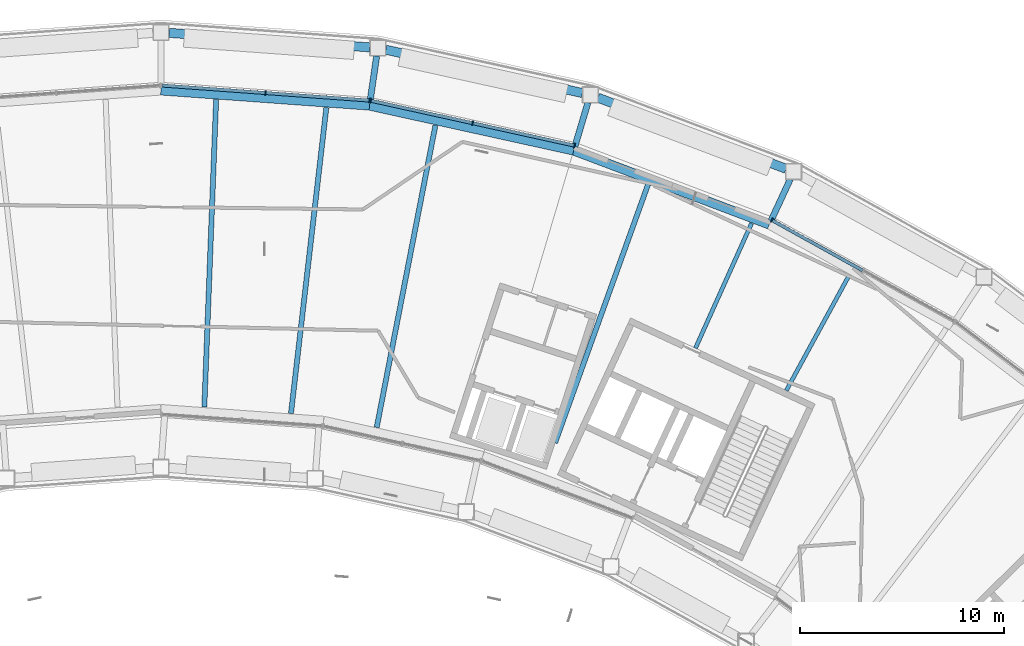
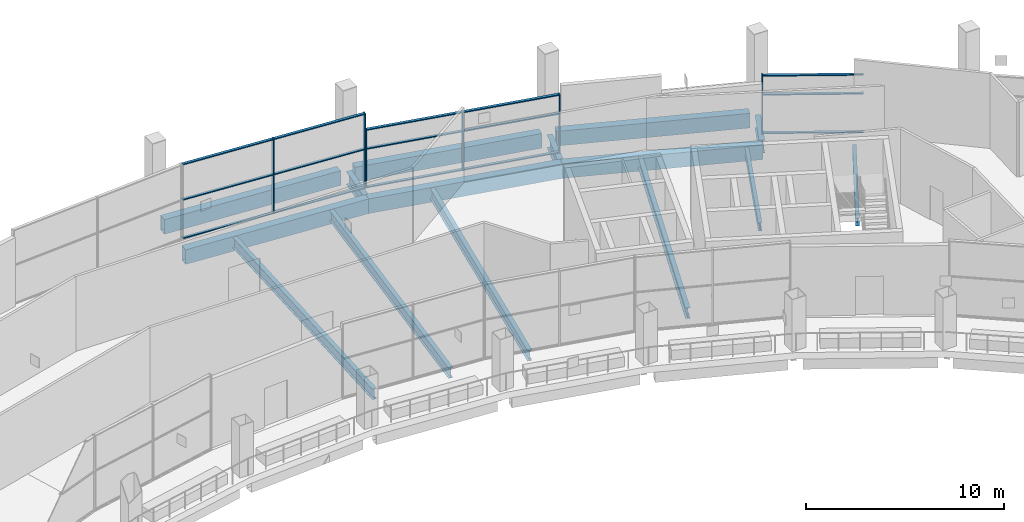
# One storey, part 11 of 29: 21 members, 15 beams, 3 elements without a shape of their own.
"""IFC4 building model written with IfcOpenShell, lengths in metres."""

from ifc_helpers import new_model, si_unit, direction, frame, origin, origin_2d, place, context, subcontext, project, spatial, rectangle, hollow_rectangle, i_section, extrude, material, layer, layer_set, material_profile, profile_set, type_object, element, aggregate, save


model = new_model("IFC4")

# Units and contexts
model_context = context("Model", 3, precision=1e-05, world=origin(), true_north=direction((0.0, 1.0)))
body_context = subcontext(model_context, "Body", "Model", "MODEL_VIEW")
ifc_project = project(units=[si_unit("LENGTHUNIT", "METRE"), si_unit("AREAUNIT", "SQUARE_METRE"), si_unit("VOLUMEUNIT", "CUBIC_METRE"), si_unit("PLANEANGLEUNIT", "RADIAN"), si_unit("MASSUNIT", "GRAM", prefix="KILO")], contexts=[model_context])

# Site, building, storey
site_placement = place(None, origin())
site = spatial("IfcSite", under=ifc_project, at=site_placement, CompositionType="ELEMENT")
building_placement = place(site_placement, origin())
building = spatial("IfcBuilding", under=site, at=building_placement, Name="Tuul Gate Civic Tower", CompositionType="ELEMENT")
storey_placement = place(building_placement, frame((0.0, 0.0, 238.89990234375)))
storey = spatial("IfcBuildingStorey", under=building, at=storey_placement, Name="Sky garden level 2", CompositionType="ELEMENT", Elevation=238.89990234375)

# Curtain wall, members
ifc_material_1 = material(Name="Aluminium", Category="aluminium")
ifc_layer_1 = layer(ifc_material_1, 0.199951171875)
ifc_layer_set_1 = layer_set([ifc_layer_1], Name="Aluminium")
curtain_wall_type_1 = type_object("IfcCurtainWallType", Name="Curtain wall CW3", PredefinedType="NOTDEFINED", material=ifc_layer_set_1)
curtain_wall_1_placement = place(storey_placement, origin())
curtain_wall_1 = element("IfcCurtainWall", 1, at=curtain_wall_1_placement, inside=storey, type_object=curtain_wall_type_1, Name="Curtain wall CW3", PredefinedType="NOTDEFINED")
ifc_material_2 = material(Name="Aluminium", Category="aluminium")
ifc_material_profile_1 = material_profile(ifc_material_2, rectangle(XDim=0.219970703125, YDim=0.06005859375, at=origin_2d()), Name="CW3 mullion")
ifc_profile_set_1 = profile_set([ifc_material_profile_1], Name="Aluminium")
member_type_1 = type_object("IfcMemberType", Name="CW3 mullion", PredefinedType="MULLION", material=ifc_profile_set_1)
member_1_placement = place(storey_placement, frame((16.18310546875, 15.216064453125, 0.0), z_axis=(0.0, 0.0, 1.0), x_axis=(-0.072330249118, -0.997380737263, 0.0)))
member_1 = element("IfcMember", 2, at=member_1_placement, type_object=member_type_1, Name="Mullion", PredefinedType="MULLION", context=body_context, shape_type="SweptSolid", body=[
    extrude(rectangle(XDim=0.219970703125, YDim=0.06005859375, at=origin_2d()), origin(), (0.0, 0.0, 1.0), 4.60009765625),
])
member_2_placement = place(storey_placement, frame((11.076416015625, 15.58642578125, 0.0), z_axis=(0.0, 0.0, 1.0), x_axis=(-0.072330249118, -0.997380737263, 0.0)))
member_2 = element("IfcMember", 3, at=member_2_placement, type_object=member_type_1, Name="Mullion", PredefinedType="MULLION", context=body_context, shape_type="SweptSolid", body=[
    extrude(rectangle(XDim=0.219970703125, YDim=0.06005859375, at=origin_2d()), origin(), (0.0, 0.0, 1.0), 4.60009765625),
])
ifc_material_3 = material(Name="Aluminium", Category="aluminium")
ifc_material_profile_2 = material_profile(ifc_material_3, rectangle(XDim=0.159912109375, YDim=0.06005859375, at=origin_2d()), Name="CW3 transom")
ifc_profile_set_2 = profile_set([ifc_material_profile_2], Name="Aluminium")
member_type_2 = type_object("IfcMemberType", Name="CW3 transom", PredefinedType="USERDEFINED", material=ifc_profile_set_2)
member_3_placement = place(storey_placement, frame((16.153076171875, 15.21826171875, 0.030029296875), z_axis=(-0.997380963596, 0.072327128075, 0.0), x_axis=(-0.072327128075, -0.997380963596, 0.0)))
member_3 = element("IfcMember", 4, at=member_3_placement, type_object=member_type_2, Name="Transom", ObjectType="TRANSOM", PredefinedType="USERDEFINED", context=body_context, shape_type="SweptSolid", body=[
    extrude(rectangle(XDim=0.159912109375, YDim=0.06005859375, at=origin_2d()), origin(), (0.0, 0.0, 1.0), 5.059814453125),
])
member_4_placement = place(storey_placement, frame((16.153076171875, 15.21826171875, 2.400146484375), z_axis=(-0.997380963596, 0.072327128075, 0.0), x_axis=(-0.072327128075, -0.997380963596, 0.0)))
member_4 = element("IfcMember", 5, at=member_4_placement, type_object=member_type_2, Name="Transom", ObjectType="TRANSOM", PredefinedType="USERDEFINED", context=body_context, shape_type="SweptSolid", body=[
    extrude(rectangle(XDim=0.159912109375, YDim=0.06005859375, at=origin_2d()), origin(), (0.0, 0.0, 1.0), 5.059814453125),
])
member_5_placement = place(storey_placement, frame((16.153076171875, 15.21826171875, 4.570068359375), z_axis=(-0.997380963596, 0.072327128075, 0.0), x_axis=(-0.072327128075, -0.997380963596, 0.0)))
member_5 = element("IfcMember", 6, at=member_5_placement, type_object=member_type_2, Name="Transom", ObjectType="TRANSOM", PredefinedType="USERDEFINED", context=body_context, shape_type="SweptSolid", body=[
    extrude(rectangle(XDim=0.159912109375, YDim=0.06005859375, at=origin_2d()), origin(), (0.0, 0.0, 1.0), 5.059814453125),
])
member_6_placement = place(storey_placement, frame((11.046630859375, 15.588623046875, 0.030029296875), z_axis=(-0.997381215986, 0.072323647579, 0.0), x_axis=(-0.072323647579, -0.997381215986, 0.0)))
member_6 = element("IfcMember", 7, at=member_6_placement, type_object=member_type_2, Name="Transom", ObjectType="TRANSOM", PredefinedType="USERDEFINED", context=body_context, shape_type="SweptSolid", body=[
    extrude(rectangle(XDim=0.159912109375, YDim=0.06005859375, at=origin_2d()), origin(), (0.0, 0.0, 1.0), 5.06005859375),
])
member_7_placement = place(storey_placement, frame((11.046630859375, 15.588623046875, 2.400146484375), z_axis=(-0.997381215986, 0.072323647579, 0.0), x_axis=(-0.072323647579, -0.997381215986, 0.0)))
member_7 = element("IfcMember", 8, at=member_7_placement, type_object=member_type_2, Name="Transom", ObjectType="TRANSOM", PredefinedType="USERDEFINED", context=body_context, shape_type="SweptSolid", body=[
    extrude(rectangle(XDim=0.159912109375, YDim=0.06005859375, at=origin_2d()), origin(), (0.0, 0.0, 1.0), 5.06005859375),
])
member_8_placement = place(storey_placement, frame((11.046630859375, 15.588623046875, 4.570068359375), z_axis=(-0.997381215986, 0.072323647579, 0.0), x_axis=(-0.072323647579, -0.997381215986, 0.0)))
member_8 = element("IfcMember", 9, at=member_8_placement, type_object=member_type_2, Name="Transom", ObjectType="TRANSOM", PredefinedType="USERDEFINED", context=body_context, shape_type="SweptSolid", body=[
    extrude(rectangle(XDim=0.159912109375, YDim=0.06005859375, at=origin_2d()), origin(), (0.0, 0.0, 1.0), 5.06005859375),
])
aggregate(curtain_wall_1, [member_1, member_2, member_3, member_4, member_5, member_6, member_7, member_8])

# Curtain wall, member
ifc_material_4 = material(Name="Aluminium", Category="aluminium")
ifc_layer_2 = layer(ifc_material_4, 0.199951171875)
ifc_layer_set_2 = layer_set([ifc_layer_2], Name="Aluminium")
curtain_wall_type_2 = type_object("IfcCurtainWallType", Name="Curtain wall CW3B", PredefinedType="NOTDEFINED", material=ifc_layer_set_2)
curtain_wall_2_placement = place(storey_placement, origin())
curtain_wall_2 = element("IfcCurtainWall", 10, at=curtain_wall_2_placement, inside=storey, type_object=curtain_wall_type_2, Name="Curtain wall CW3B", PredefinedType="NOTDEFINED")
ifc_material_5 = material(Name="Aluminium", Category="aluminium")
ifc_material_profile_3 = material_profile(ifc_material_5, rectangle(XDim=0.219970703125, YDim=0.06005859375, at=origin_2d()), Name="CW3B mullion")
ifc_profile_set_3 = profile_set([ifc_material_profile_3], Name="Aluminium")
member_type_3 = type_object("IfcMemberType", Name="CW3B mullion", PredefinedType="MULLION", material=ifc_profile_set_3)
member_9_placement = place(storey_placement, frame((35.934326171875, 9.33935546875, 0.0), z_axis=(0.0, 0.0, 1.0), x_axis=(-0.484826682646, -0.874610249079, 0.0)))
member_9 = element("IfcMember", 11, at=member_9_placement, type_object=member_type_3, Name="Mullion", PredefinedType="MULLION", context=body_context, shape_type="SweptSolid", body=[
    extrude(rectangle(XDim=0.219970703125, YDim=0.06005859375, at=origin_2d()), origin(), (0.0, 0.0, 1.0), 3.59521484375),
])

# Curtain wall, members
curtain_wall_3_placement = place(storey_placement, origin())
curtain_wall_3 = element("IfcCurtainWall", 12, at=curtain_wall_3_placement, inside=storey, type_object=curtain_wall_type_2, Name="Curtain wall CW3B", PredefinedType="NOTDEFINED")
member_10_placement = place(storey_placement, frame((26.24365234375, 13.00341796875, 0.0), z_axis=(0.0, 0.0, 1.0), x_axis=(-0.21521362124, -0.976566995773, 0.0)))
member_10 = element("IfcMember", 13, at=member_10_placement, type_object=member_type_3, Name="Mullion", PredefinedType="MULLION", context=body_context, shape_type="SweptSolid", body=[
    extrude(rectangle(XDim=0.219970703125, YDim=0.06005859375, at=origin_2d()), origin(), (0.0, 0.0, 1.0), 3.59521484375),
])
member_11_placement = place(storey_placement, frame((21.242919921875, 14.10546875, 0.0), z_axis=(0.0, 0.0, 1.0), x_axis=(-0.21521362124, -0.976566995773, 0.0)))
member_11 = element("IfcMember", 14, at=member_11_placement, type_object=member_type_3, Name="Mullion", PredefinedType="MULLION", context=body_context, shape_type="SweptSolid", body=[
    extrude(rectangle(XDim=0.219970703125, YDim=0.06005859375, at=origin_2d()), origin(), (0.0, 0.0, 1.0), 3.59521484375),
])
member_12_placement = place(storey_placement, frame((16.2421875, 15.20751953125, 0.0), z_axis=(0.0, 0.0, 1.0), x_axis=(-0.21521362124, -0.976566995773, 0.0)))
member_12 = element("IfcMember", 15, at=member_12_placement, type_object=member_type_3, Name="Mullion", PredefinedType="MULLION", context=body_context, shape_type="SweptSolid", body=[
    extrude(rectangle(XDim=0.219970703125, YDim=0.06005859375, at=origin_2d()), origin(), (0.0, 0.0, 1.0), 3.59521484375),
])

# Member
ifc_material_6 = material(Name="Aluminium", Category="aluminium")
ifc_material_profile_4 = material_profile(ifc_material_6, rectangle(XDim=0.159912109375, YDim=0.06005859375, at=origin_2d()), Name="CW3B transom")
ifc_profile_set_4 = profile_set([ifc_material_profile_4], Name="Aluminium")
member_type_4 = type_object("IfcMemberType", Name="CW3B transom", PredefinedType="USERDEFINED", material=ifc_profile_set_4)
member_13_placement = place(storey_placement, frame((40.38623046875, 6.87158203125, 0.030029296875), z_axis=(-0.874609774473, 0.484827538817, 0.0), x_axis=(-0.484827538817, -0.874609774473, 0.0)))
member_13 = element("IfcMember", 16, at=member_13_placement, type_object=member_type_4, Name="Transom", ObjectType="TRANSOM", PredefinedType="USERDEFINED", context=body_context, shape_type="SweptSolid", body=[
    extrude(rectangle(XDim=0.159912109375, YDim=0.06005859375, at=origin_2d()), origin(), (0.0, 0.0, 1.0), 5.060302734375),
])

member_14_placement = place(storey_placement, frame((40.38623046875, 6.87158203125, 2.400146484375), z_axis=(-0.874609774473, 0.484827538817, 0.0), x_axis=(-0.484827538817, -0.874609774473, 0.0)))
member_14 = element("IfcMember", 17, at=member_14_placement, type_object=member_type_4, Name="Transom", ObjectType="TRANSOM", PredefinedType="USERDEFINED", context=body_context, shape_type="SweptSolid", body=[
    extrude(rectangle(XDim=0.159912109375, YDim=0.06005859375, at=origin_2d()), origin(), (0.0, 0.0, 1.0), 5.060302734375),
])

member_15_placement = place(storey_placement, frame((40.38623046875, 6.87158203125, 3.565185546875), z_axis=(-0.874609774473, 0.484827538817, 0.0), x_axis=(-0.484827538817, -0.874609774473, 0.0)))
member_15 = element("IfcMember", 18, at=member_15_placement, type_object=member_type_4, Name="Transom", ObjectType="TRANSOM", PredefinedType="USERDEFINED", context=body_context, shape_type="SweptSolid", body=[
    extrude(rectangle(XDim=0.159912109375, YDim=0.06005859375, at=origin_2d()), origin(), (0.0, 0.0, 1.0), 5.060302734375),
])

aggregate(curtain_wall_2, [member_9, member_13, member_14, member_15])

member_16_placement = place(storey_placement, frame((26.21435546875, 13.010009765625, 0.030029296875), z_axis=(-0.976568075183, 0.215208723183, 0.0), x_axis=(-0.215208723183, -0.976568075183, 0.0)))
member_16 = element("IfcMember", 19, at=member_16_placement, type_object=member_type_4, Name="Transom", ObjectType="TRANSOM", PredefinedType="USERDEFINED", context=body_context, shape_type="SweptSolid", body=[
    extrude(rectangle(XDim=0.159912109375, YDim=0.06005859375, at=origin_2d()), origin(), (0.0, 0.0, 1.0), 5.060791015625),
])

member_17_placement = place(storey_placement, frame((26.21435546875, 13.010009765625, 2.400146484375), z_axis=(-0.976568075183, 0.215208723183, 0.0), x_axis=(-0.215208723183, -0.976568075183, 0.0)))
member_17 = element("IfcMember", 20, at=member_17_placement, type_object=member_type_4, Name="Transom", ObjectType="TRANSOM", PredefinedType="USERDEFINED", context=body_context, shape_type="SweptSolid", body=[
    extrude(rectangle(XDim=0.159912109375, YDim=0.06005859375, at=origin_2d()), origin(), (0.0, 0.0, 1.0), 5.060791015625),
])

member_18_placement = place(storey_placement, frame((26.21435546875, 13.010009765625, 3.565185546875), z_axis=(-0.976568075183, 0.215208723183, 0.0), x_axis=(-0.215208723183, -0.976568075183, 0.0)))
member_18 = element("IfcMember", 21, at=member_18_placement, type_object=member_type_4, Name="Transom", ObjectType="TRANSOM", PredefinedType="USERDEFINED", context=body_context, shape_type="SweptSolid", body=[
    extrude(rectangle(XDim=0.159912109375, YDim=0.06005859375, at=origin_2d()), origin(), (0.0, 0.0, 1.0), 5.060791015625),
])

member_19_placement = place(storey_placement, frame((21.213623046875, 14.112060546875, 0.030029296875), z_axis=(-0.976568075183, 0.215208723183, 0.0), x_axis=(-0.215208723183, -0.976568075183, 0.0)))
member_19 = element("IfcMember", 22, at=member_19_placement, type_object=member_type_4, Name="Transom", ObjectType="TRANSOM", PredefinedType="USERDEFINED", context=body_context, shape_type="SweptSolid", body=[
    extrude(rectangle(XDim=0.159912109375, YDim=0.06005859375, at=origin_2d()), origin(), (0.0, 0.0, 1.0), 5.060791015625),
])

member_20_placement = place(storey_placement, frame((21.213623046875, 14.112060546875, 2.400146484375), z_axis=(-0.976568075183, 0.215208723183, 0.0), x_axis=(-0.215208723183, -0.976568075183, 0.0)))
member_20 = element("IfcMember", 23, at=member_20_placement, type_object=member_type_4, Name="Transom", ObjectType="TRANSOM", PredefinedType="USERDEFINED", context=body_context, shape_type="SweptSolid", body=[
    extrude(rectangle(XDim=0.159912109375, YDim=0.06005859375, at=origin_2d()), origin(), (0.0, 0.0, 1.0), 5.060791015625),
])

member_21_placement = place(storey_placement, frame((21.213623046875, 14.112060546875, 3.565185546875), z_axis=(-0.976568075183, 0.215208723183, 0.0), x_axis=(-0.215208723183, -0.976568075183, 0.0)))
member_21 = element("IfcMember", 24, at=member_21_placement, type_object=member_type_4, Name="Transom", ObjectType="TRANSOM", PredefinedType="USERDEFINED", context=body_context, shape_type="SweptSolid", body=[
    extrude(rectangle(XDim=0.159912109375, YDim=0.06005859375, at=origin_2d()), origin(), (0.0, 0.0, 1.0), 5.060791015625),
])

aggregate(curtain_wall_3, [member_10, member_11, member_12, member_16, member_17, member_18, member_19, member_20, member_21])

# Beams
ifc_material_7 = material(Name="Steel S355", Category="steel")
ifc_material_profile_5 = material_profile(ifc_material_7, i_section(OverallWidth=0.199951171875, OverallDepth=0.5, WebThickness=0.010009765625, FlangeThickness=0.01611328125, at=origin_2d()), Name="PG500x200x10x16")
ifc_profile_set_5 = profile_set([ifc_material_profile_5], Name="Steel S355")
beam_type_1 = type_object("IfcBeamType", Name="STR-FLOOR BEAM-PG500x200x10x16", PredefinedType="BEAM", material=ifc_profile_set_5)
beam_1_placement = place(storey_placement, frame((36.639892578125, 0.978759765625, -0.64990234375), z_axis=(0.478659121575, 0.878000823082, 0.0), x_axis=(-0.878000823082, 0.478659121575, 0.0)))
element("IfcBeam", 25, at=beam_1_placement, inside=storey, type_object=beam_type_1, Name="Floor beam", PredefinedType="BEAM", context=body_context, shape_type="SweptSolid", body=[
    extrude(i_section(OverallWidth=0.199951171875, OverallDepth=0.5, WebThickness=0.010009765625, FlangeThickness=0.01611328125, at=origin_2d()), origin(), (0.0, 0.0, 1.0), 6.469970703125),
])
beam_2_placement = place(storey_placement, frame((32.18017578125, 3.058349609375, -0.64990234375), z_axis=(0.409887214104, 0.912136213355, 0.0), x_axis=(-0.912136213355, 0.409887214104, 0.0)))
element("IfcBeam", 26, at=beam_2_placement, inside=storey, type_object=beam_type_1, Name="Floor beam", PredefinedType="BEAM", context=body_context, shape_type="SweptSolid", body=[
    extrude(i_section(OverallWidth=0.199951171875, OverallDepth=0.5, WebThickness=0.010009765625, FlangeThickness=0.01611328125, at=origin_2d()), origin(), (0.0, 0.0, 1.0), 6.71923828125),
])
ifc_material_8 = material(Name="Steel S355", Category="steel")
ifc_material_profile_6 = material_profile(ifc_material_8, i_section(OverallWidth=0.25, OverallDepth=0.64990234375, WebThickness=0.011962890625, FlangeThickness=0.02001953125, at=origin_2d()), Name="PG650x250x12x20")
ifc_profile_set_6 = profile_set([ifc_material_profile_6], Name="Steel S355")
beam_type_2 = type_object("IfcBeamType", Name="STR-FLOOR BEAM-PG650x250x12x20", PredefinedType="BEAM", material=ifc_profile_set_6)
beam_3_placement = place(storey_placement, frame((25.28662109375, -1.591552734375, -0.724853515625), z_axis=(0.338718827723, 0.940887642466, 0.0), x_axis=(-0.940887642466, 0.338718827723, 0.0)))
element("IfcBeam", 27, at=beam_3_placement, inside=storey, type_object=beam_type_2, Name="Floor beam", PredefinedType="BEAM", context=body_context, shape_type="SweptSolid", body=[
    extrude(i_section(OverallWidth=0.25, OverallDepth=0.64990234375, WebThickness=0.011962890625, FlangeThickness=0.02001953125, at=origin_2d()), origin(), (0.0, 0.0, 1.0), 13.49658203125),
])
beam_4_placement = place(storey_placement, frame((16.533447265625, -0.830322265625, -0.724853515625), z_axis=(0.190791786167, 0.981630528423, 0.0), x_axis=(-0.981630528423, 0.190791786167, 0.0)))
element("IfcBeam", 28, at=beam_4_placement, inside=storey, type_object=beam_type_2, Name="Floor beam", PredefinedType="BEAM", context=body_context, shape_type="SweptSolid", body=[
    extrude(i_section(OverallWidth=0.25, OverallDepth=0.64990234375, WebThickness=0.011962890625, FlangeThickness=0.02001953125, at=origin_2d()), origin(), (0.0, 0.0, 1.0), 15.1044921875),
])
beam_5_placement = place(storey_placement, frame((12.324951171875, -0.144775390625, -0.724853515625), z_axis=(0.114933735082, 0.993373160771, 0.0), x_axis=(-0.993373160771, 0.114933735082, 0.0)))
element("IfcBeam", 29, at=beam_5_placement, inside=storey, type_object=beam_type_2, Name="Floor beam", PredefinedType="BEAM", context=body_context, shape_type="SweptSolid", body=[
    extrude(i_section(OverallWidth=0.25, OverallDepth=0.64990234375, WebThickness=0.011962890625, FlangeThickness=0.02001953125, at=origin_2d()), origin(), (0.0, 0.0, 1.0), 15.113525390625),
])
beam_6_placement = place(storey_placement, frame((8.071533203125, 0.163330078125, -0.724853515625), z_axis=(0.038394025162, 0.999262677594, 0.0), x_axis=(-0.999262677594, 0.038394025162, 0.0)))
element("IfcBeam", 30, at=beam_6_placement, inside=storey, type_object=beam_type_2, Name="Floor beam", PredefinedType="BEAM", context=body_context, shape_type="SweptSolid", body=[
    extrude(i_section(OverallWidth=0.25, OverallDepth=0.64990234375, WebThickness=0.011962890625, FlangeThickness=0.02001953125, at=origin_2d()), origin(), (0.0, 0.0, 1.0), 15.108642578125),
])
ifc_material_9 = material(Name="Steel S355", Category="steel")
ifc_material_profile_7 = material_profile(ifc_material_9, i_section(OverallWidth=0.300048828125, OverallDepth=0.800048828125, WebThickness=0.013916015625, FlangeThickness=0.02490234375, at=origin_2d()), Name="PG800x300x14x25")
ifc_profile_set_7 = profile_set([ifc_material_profile_7], Name="Steel S355")
beam_type_3 = type_object("IfcBeamType", Name="STR-FLOOR BEAM-PG800x300x14x25", PredefinedType="BEAM", material=ifc_profile_set_7)
beam_7_placement = place(storey_placement, frame((36.8349609375, 11.35595703125, -0.7998046875), z_axis=(-0.420189542402, -0.907436360554, 0.0), x_axis=(0.907436360554, -0.420189542402, 0.0)))
element("IfcBeam", 31, at=beam_7_placement, inside=storey, type_object=beam_type_3, Name="Terrace beam", PredefinedType="BEAM", context=body_context, shape_type="SweptSolid", body=[
    extrude(i_section(OverallWidth=0.300048828125, OverallDepth=0.800048828125, WebThickness=0.013916015625, FlangeThickness=0.02490234375, at=origin_2d()), origin(), (0.0, 0.0, 1.0), 2.25732421875),
])
beam_8_placement = place(storey_placement, frame((26.90185546875, 15.112548828125, -0.7998046875), z_axis=(-0.285034735389, -0.958517187964, 0.0), x_axis=(0.958517187964, -0.285034735389, 0.0)))
element("IfcBeam", 32, at=beam_8_placement, inside=storey, type_object=beam_type_3, Name="Terrace beam", PredefinedType="BEAM", context=body_context, shape_type="SweptSolid", body=[
    extrude(i_section(OverallWidth=0.300048828125, OverallDepth=0.800048828125, WebThickness=0.013916015625, FlangeThickness=0.02490234375, at=origin_2d()), origin(), (0.0, 0.0, 1.0), 2.2568359375),
])
beam_9_placement = place(storey_placement, frame((16.53125, 17.398193359375, -0.7998046875), z_axis=(-0.144039966377, -0.989571871107, 0.0), x_axis=(0.989571871107, -0.144039966377, 0.0)))
element("IfcBeam", 33, at=beam_9_placement, inside=storey, type_object=beam_type_3, Name="Terrace beam", PredefinedType="BEAM", context=body_context, shape_type="SweptSolid", body=[
    extrude(i_section(OverallWidth=0.300048828125, OverallDepth=0.800048828125, WebThickness=0.013916015625, FlangeThickness=0.02490234375, at=origin_2d()), origin(), (0.0, 0.0, 1.0), 2.257568359375),
])
ifc_material_10 = material(Name="Steel S355", Category="steel")
ifc_material_profile_8 = material_profile(ifc_material_10, hollow_rectangle(XDim=0.449951171875, YDim=0.89990234375, WallThickness=0.02490234375, at=origin_2d()), Name="BOX900x450x25")
ifc_profile_set_8 = profile_set([ifc_material_profile_8], Name="Steel S355")
beam_type_4 = type_object("IfcBeamType", Name="STR-SPANDREL BEAM-BOX900x450x25", PredefinedType="BEAM", material=ifc_profile_set_8)
beam_10_placement = place(storey_placement, frame((5.93994140625, 15.7080078125, -0.849853515625), z_axis=(0.997384025598, -0.072284891104, 0.0), x_axis=(0.072284891104, 0.997384025598, 0.0)))
element("IfcBeam", 34, at=beam_10_placement, inside=storey, type_object=beam_type_4, Name="Spandrel beam", PredefinedType="BEAM", context=body_context, shape_type="SweptSolid", body=[
    extrude(hollow_rectangle(XDim=0.449951171875, YDim=0.89990234375, WallThickness=0.02490234375, at=origin_2d()), origin(), (0.0, 0.0, 1.0), 10.26416015625),
])
beam_11_placement = place(storey_placement, frame((16.17724609375, 14.966064453125, -0.849853515625), z_axis=(0.976580539145, -0.215152156773, 0.0), x_axis=(0.215152156773, 0.976580539145, 0.0)))
element("IfcBeam", 35, at=beam_11_placement, inside=storey, type_object=beam_type_4, Name="Spandrel beam", PredefinedType="BEAM", context=body_context, shape_type="SweptSolid", body=[
    extrude(hollow_rectangle(XDim=0.449951171875, YDim=0.89990234375, WallThickness=0.02490234375, at=origin_2d()), origin(), (0.0, 0.0, 1.0), 10.264892578125),
])
beam_12_placement = place(storey_placement, frame((26.20166015625, 12.757568359375, -0.849853515625), z_axis=(0.935331357105, -0.353772882532, 0.0), x_axis=(0.353772882532, 0.935331357105, 0.0)))
element("IfcBeam", 36, at=beam_12_placement, inside=storey, type_object=beam_type_4, Name="Spandrel beam", PredefinedType="BEAM", context=body_context, shape_type="SweptSolid", body=[
    extrude(hollow_rectangle(XDim=0.449951171875, YDim=0.89990234375, WallThickness=0.02490234375, at=origin_2d()), origin(), (0.0, 0.0, 1.0), 10.2646484375),
])
beam_13_placement = place(storey_placement, frame((36.62890625, 11.860595703125, -0.849853515625), z_axis=(-0.935348375613, 0.353727884451, 0.0), x_axis=(-0.353727884451, -0.935348375613, 0.0)))
element("IfcBeam", 37, at=beam_13_placement, inside=storey, type_object=beam_type_4, Name="Terrace edge beam", PredefinedType="BEAM", context=body_context, shape_type="SweptSolid", body=[
    extrude(hollow_rectangle(XDim=0.449951171875, YDim=0.89990234375, WallThickness=0.02490234375, at=origin_2d()), origin(), (0.0, 0.0, 1.0), 9.87744140625),
])
beam_14_placement = place(storey_placement, frame((26.62548828125, 15.58203125, -0.849853515625), z_axis=(-0.976561301206, 0.21523945964, 0.0), x_axis=(-0.21523945964, -0.976561301206, 0.0)))
element("IfcBeam", 38, at=beam_14_placement, inside=storey, type_object=beam_type_4, Name="Terrace edge beam", PredefinedType="BEAM", context=body_context, shape_type="SweptSolid", body=[
    extrude(hollow_rectangle(XDim=0.449951171875, YDim=0.89990234375, WallThickness=0.02490234375, at=origin_2d()), origin(), (0.0, 0.0, 1.0), 9.877197265625),
])
beam_15_placement = place(storey_placement, frame((16.18994140625, 17.822998046875, -0.849853515625), z_axis=(-0.997389983978, 0.072202630563, 0.0), x_axis=(-0.072202630563, -0.997389983978, 0.0)))
element("IfcBeam", 39, at=beam_15_placement, inside=storey, type_object=beam_type_4, Name="Terrace edge beam", PredefinedType="BEAM", context=body_context, shape_type="SweptSolid", body=[
    extrude(hollow_rectangle(XDim=0.449951171875, YDim=0.89990234375, WallThickness=0.02490234375, at=origin_2d()), origin(), (0.0, 0.0, 1.0), 9.876953125),
])

save(model, "model.ifc")
